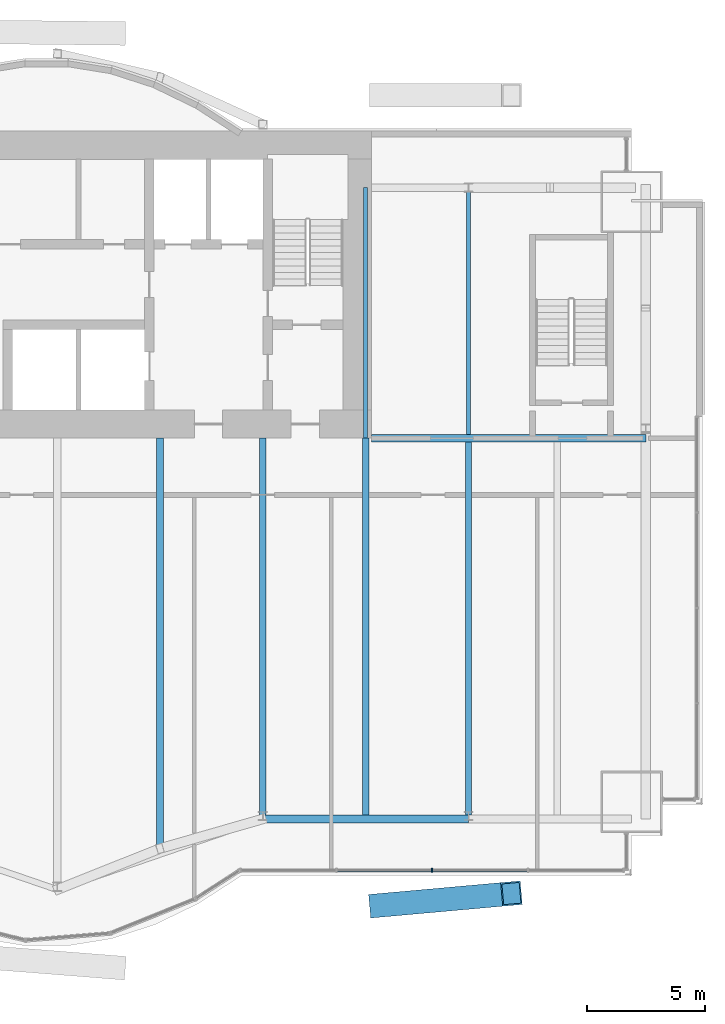
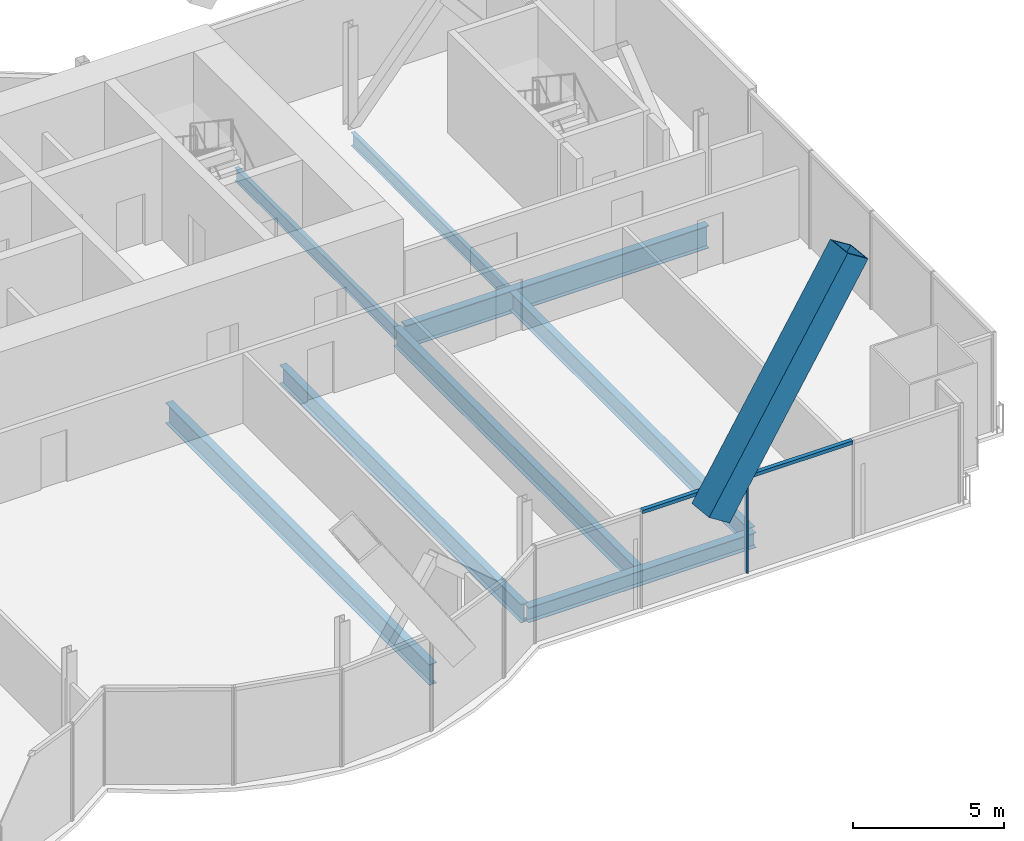
# One storey, part 9 of 20: 8 beams, 4 members, 1 element without a shape of its own.
"""IFC4 building model written with IfcOpenShell, lengths in metres."""

from ifc_helpers import new_model, si_unit, direction, frame, origin, origin_2d, place, context, subcontext, project, spatial, rectangle, hollow_rectangle, i_section, extrude, material, material_profile, profile_set, type_object, element, aggregate, save


model = new_model("IFC4")

# Units and contexts
model_context = context("Model", 3, precision=1e-05, world=origin(), true_north=direction((0.0, 1.0)))
body_context = subcontext(model_context, "Body", "Model", "MODEL_VIEW")
ifc_project = project(units=[si_unit("LENGTHUNIT", "METRE"), si_unit("AREAUNIT", "SQUARE_METRE"), si_unit("VOLUMEUNIT", "CUBIC_METRE"), si_unit("PLANEANGLEUNIT", "RADIAN"), si_unit("MASSUNIT", "GRAM", prefix="KILO")], contexts=[model_context])

# Site, building, storey
site_placement = place(None, origin())
site = spatial("IfcSite", under=ifc_project, at=site_placement, CompositionType="ELEMENT")
building_placement = place(site_placement, origin())
building = spatial("IfcBuilding", under=site, at=building_placement, Name="Bicima Exchange Tower", CompositionType="ELEMENT")
storey_placement = place(building_placement, frame((0.0, 0.0, 219.60009765625)))
storey = spatial("IfcBuildingStorey", under=building, at=storey_placement, Name="L49", CompositionType="ELEMENT", Elevation=219.60009765625)

# Beam
ifc_material_1 = material(Name="Steel ASTM A992 Gr 50", Category="steel")
ifc_material_profile_1 = material_profile(ifc_material_1, i_section(OverallWidth=0.3046875, OverallDepth=0.911865234375, WebThickness=0.015869140625, FlangeThickness=0.02392578125, at=origin_2d()))
ifc_profile_set_1 = profile_set([ifc_material_profile_1], Name="Steel ASTM A992 Gr 50")
beam_type_1 = type_object("IfcBeamType", Name="Core-line girder W36x150", PredefinedType="BEAM", material=ifc_profile_set_1)
beam_1_placement = place(storey_placement, frame((22.0, -13.0, -0.60595703125), z_axis=(1.0, 0.0, 0.0), x_axis=(0.0, 1.0, 0.0)))
element("IfcBeam", 1, at=beam_1_placement, inside=storey, type_object=beam_type_1, Name="Core-line girder", PredefinedType="BEAM", context=body_context, shape_type="SweptSolid", body=[
    extrude(i_section(OverallWidth=0.3046875, OverallDepth=0.911865234375, WebThickness=0.015869140625, FlangeThickness=0.02392578125, at=origin_2d()), origin(), (0.0, 0.0, 1.0), 11.60009765625),
])

# Member
ifc_material_2 = material(Name="Steel ASTM A572 Gr 50", Category="steel")
ifc_material_profile_2 = material_profile(ifc_material_2, hollow_rectangle(XDim=1.0, YDim=1.0, WallThickness=0.06005859375, at=origin_2d()))
ifc_profile_set_2 = profile_set([ifc_material_profile_2], Name="Steel ASTM A572 Gr 50")
member_type_1 = type_object("IfcMemberType", Name="Exo mega brace BOX 1000x1000x60", PredefinedType="BRACE", material=ifc_profile_set_2)
member_1_placement = place(storey_placement, frame((22.333251953125, -32.76611328125, 4.066650390625), z_axis=(0.552134579453, 0.049540015612, 0.832281919199), x_axis=(-0.089365532808, 0.995998896358, 0.0)))
element("IfcMember", 2, at=member_1_placement, inside=storey, type_object=member_type_1, Name="Exo mega brace front", PredefinedType="BRACE", context=body_context, shape_type="SweptSolid", body=[
    extrude(hollow_rectangle(XDim=1.0, YDim=1.0, WallThickness=0.06005859375, at=origin_2d()), origin(), (0.0, 0.0, 1.0), 10.112548828125),
])

# Beams
ifc_material_profile_3 = material_profile(ifc_material_1, i_section(OverallWidth=0.165771484375, OverallDepth=0.5283203125, WebThickness=0.009765625, FlangeThickness=0.013671875, at=origin_2d()))
ifc_profile_set_3 = profile_set([ifc_material_profile_3], Name="Steel ASTM A992 Gr 50")
beam_type_2 = type_object("IfcBeamType", Name="Floor beam W21x50", PredefinedType="JOIST", material=ifc_profile_set_3)
beam_2_placement = place(storey_placement, frame((21.75, -2.39990234375, -0.414306640625), z_axis=(0.0, -1.0, 0.0), x_axis=(1.0, 0.0, 0.0)))
element("IfcBeam", 3, at=beam_2_placement, inside=storey, type_object=beam_type_2, Name="Floor beam", PredefinedType="JOIST", context=body_context, shape_type="SweptSolid", body=[
    extrude(i_section(OverallWidth=0.165771484375, OverallDepth=0.5283203125, WebThickness=0.009765625, FlangeThickness=0.013671875, at=origin_2d()), origin(), (0.0, 0.0, 1.0), 10.60009765625),
])
beam_3_placement = place(storey_placement, frame((26.10009765625, -2.5625, -0.414306640625), z_axis=(0.0, -1.0, 0.0), x_axis=(1.0, 0.0, 0.0)))
element("IfcBeam", 4, at=beam_3_placement, inside=storey, type_object=beam_type_2, Name="Floor beam", PredefinedType="JOIST", context=body_context, shape_type="SweptSolid", body=[
    extrude(i_section(OverallWidth=0.165771484375, OverallDepth=0.5283203125, WebThickness=0.009765625, FlangeThickness=0.013671875, at=origin_2d()), origin(), (0.0, 0.0, 1.0), 10.28515625),
])
ifc_material_profile_4 = material_profile(ifc_material_1, i_section(OverallWidth=0.2666015625, OverallDepth=0.75439453125, WebThickness=0.01318359375, FlangeThickness=0.01708984375, at=origin_2d()))
ifc_profile_set_4 = profile_set([ifc_material_profile_4], Name="Steel ASTM A992 Gr 50")
beam_type_3 = type_object("IfcBeamType", Name="Floor beam W30x99", PredefinedType="JOIST", material=ifc_profile_set_4)
beam_4_placement = place(storey_placement, frame((17.39990234375, -13.0, -0.52734375), z_axis=(0.0, -1.0, 0.0), x_axis=(1.0, 0.0, 0.0)))
element("IfcBeam", 5, at=beam_4_placement, inside=storey, type_object=beam_type_3, Name="Floor beam", PredefinedType="JOIST", context=body_context, shape_type="SweptSolid", body=[
    extrude(i_section(OverallWidth=0.2666015625, OverallDepth=0.75439453125, WebThickness=0.01318359375, FlangeThickness=0.01708984375, at=origin_2d()), origin(), (0.0, 0.0, 1.0), 15.972412109375),
])
beam_5_placement = place(storey_placement, frame((21.75, -13.0, -0.52734375), z_axis=(0.0, -1.0, 0.0), x_axis=(1.0, 0.0, 0.0)))
element("IfcBeam", 6, at=beam_5_placement, inside=storey, type_object=beam_type_3, Name="Floor beam", PredefinedType="JOIST", context=body_context, shape_type="SweptSolid", body=[
    extrude(i_section(OverallWidth=0.2666015625, OverallDepth=0.75439453125, WebThickness=0.01318359375, FlangeThickness=0.01708984375, at=origin_2d()), origin(), (0.0, 0.0, 1.0), 15.9453125),
])
beam_6_placement = place(storey_placement, frame((26.10009765625, -13.15234375, -0.52734375), z_axis=(0.0, -1.0, 0.0), x_axis=(1.0, 0.0, 0.0)))
element("IfcBeam", 7, at=beam_6_placement, inside=storey, type_object=beam_type_3, Name="Floor beam", PredefinedType="JOIST", context=body_context, shape_type="SweptSolid", body=[
    extrude(i_section(OverallWidth=0.2666015625, OverallDepth=0.75439453125, WebThickness=0.01318359375, FlangeThickness=0.01708984375, at=origin_2d()), origin(), (0.0, 0.0, 1.0), 15.79296875),
])
ifc_material_profile_5 = material_profile(ifc_material_1, i_section(OverallWidth=0.2919921875, OverallDepth=0.835693359375, WebThickness=0.013916015625, FlangeThickness=0.018798828125, at=origin_2d()))
ifc_profile_set_5 = profile_set([ifc_material_profile_5], Name="Steel ASTM A992 Gr 50")
beam_type_4 = type_object("IfcBeamType", Name="Floor beam W33x118", PredefinedType="JOIST", material=ifc_profile_set_5)
beam_7_placement = place(storey_placement, frame((13.050048828125, -13.0, -0.56787109375), z_axis=(0.0, -1.0, 0.0), x_axis=(1.0, 0.0, 0.0)))
element("IfcBeam", 8, at=beam_7_placement, inside=storey, type_object=beam_type_4, Name="Floor beam", PredefinedType="JOIST", context=body_context, shape_type="SweptSolid", body=[
    extrude(i_section(OverallWidth=0.2919921875, OverallDepth=0.835693359375, WebThickness=0.013916015625, FlangeThickness=0.018798828125, at=origin_2d()), origin(), (0.0, 0.0, 1.0), 17.468017578125),
])
ifc_material_profile_6 = material_profile(ifc_material_1, i_section(OverallWidth=0.3251953125, OverallDepth=0.612060546875, WebThickness=0.0126953125, FlangeThickness=0.01904296875, at=origin_2d()))
ifc_profile_set_6 = profile_set([ifc_material_profile_6], Name="Steel ASTM A992 Gr 50")
beam_type_5 = type_object("IfcBeamType", Name="Front girder W24x104", PredefinedType="BEAM", material=ifc_profile_set_6)
beam_8_placement = place(storey_placement, frame((17.39990234375, -29.10791015625, -0.456298828125), z_axis=(1.0, 0.0, 0.0), x_axis=(0.0, 1.0, 0.0)))
element("IfcBeam", 9, at=beam_8_placement, inside=storey, type_object=beam_type_5, Name="Front girder", PredefinedType="BEAM", context=body_context, shape_type="SweptSolid", body=[
    extrude(i_section(OverallWidth=0.3251953125, OverallDepth=0.612060546875, WebThickness=0.0126953125, FlangeThickness=0.01904296875, at=origin_2d()), origin(), (0.0, 0.0, 1.0), 8.7001953125),
])

# Curtain wall, members
ifc_material_3 = material(Name="Anodised bronze aluminium", Category="aluminium")
curtain_wall_type = type_object("IfcCurtainWallType", Name="Front glass wall", PredefinedType="NOTDEFINED", material=ifc_material_3)
curtain_wall_placement = place(storey_placement, origin())
curtain_wall = element("IfcCurtainWall", 10, at=curtain_wall_placement, inside=storey, type_object=curtain_wall_type, Name="Front glass wall L49 run 16", PredefinedType="NOTDEFINED")
ifc_material_profile_7 = material_profile(ifc_material_3, rectangle(XDim=0.159912109375, YDim=0.06005859375, at=origin_2d()))
ifc_profile_set_7 = profile_set([ifc_material_profile_7], Name="Anodised bronze aluminium")
member_type_2 = type_object("IfcMemberType", Name="Front glass wall mullion 60 x 160", PredefinedType="MULLION", material=ifc_profile_set_7)
member_2_placement = place(storey_placement, frame((24.56103515625, -31.278076171875, 0.0), z_axis=(0.0, 0.0, 1.0), x_axis=(0.0, 1.0, 0.0)))
member_2 = element("IfcMember", 11, at=member_2_placement, type_object=member_type_2, Name="Front glass wall mullion 3", PredefinedType="MULLION", context=body_context, shape_type="SweptSolid", body=[
    extrude(rectangle(XDim=0.159912109375, YDim=0.06005859375, at=origin_2d()), origin(), (0.0, 0.0, 1.0), 3.949951171875),
])
ifc_material_profile_8 = material_profile(ifc_material_3, rectangle(XDim=0.159912109375, YDim=0.139892578125, at=origin_2d()))
ifc_profile_set_8 = profile_set([ifc_material_profile_8], Name="Anodised bronze aluminium")
member_type_3 = type_object("IfcMemberType", Name="Front glass wall transom 140 x 160", PredefinedType="USERDEFINED", material=ifc_profile_set_8)
member_3_placement = place(storey_placement, frame((20.54150390625, -31.278076171875, 3.8798828125), z_axis=(1.0, 0.0, 0.0), x_axis=(0.0, 1.0, 0.0)))
member_3 = element("IfcMember", 12, at=member_3_placement, type_object=member_type_3, Name="Front glass wall transom 2.1", ObjectType="TRANSOM", PredefinedType="USERDEFINED", context=body_context, shape_type="SweptSolid", body=[
    extrude(rectangle(XDim=0.159912109375, YDim=0.139892578125, at=origin_2d()), origin(), (0.0, 0.0, 1.0), 3.989501953125),
])
member_4_placement = place(storey_placement, frame((24.591064453125, -31.278076171875, 3.8798828125), z_axis=(1.0, 0.0, 0.0), x_axis=(0.0, 1.0, 0.0)))
member_4 = element("IfcMember", 13, at=member_4_placement, type_object=member_type_3, Name="Front glass wall transom 3.1", ObjectType="TRANSOM", PredefinedType="USERDEFINED", context=body_context, shape_type="SweptSolid", body=[
    extrude(rectangle(XDim=0.159912109375, YDim=0.139892578125, at=origin_2d()), origin(), (0.0, 0.0, 1.0), 3.989501953125),
])
aggregate(curtain_wall, [member_2, member_3, member_4])

save(model, "model.ifc")
